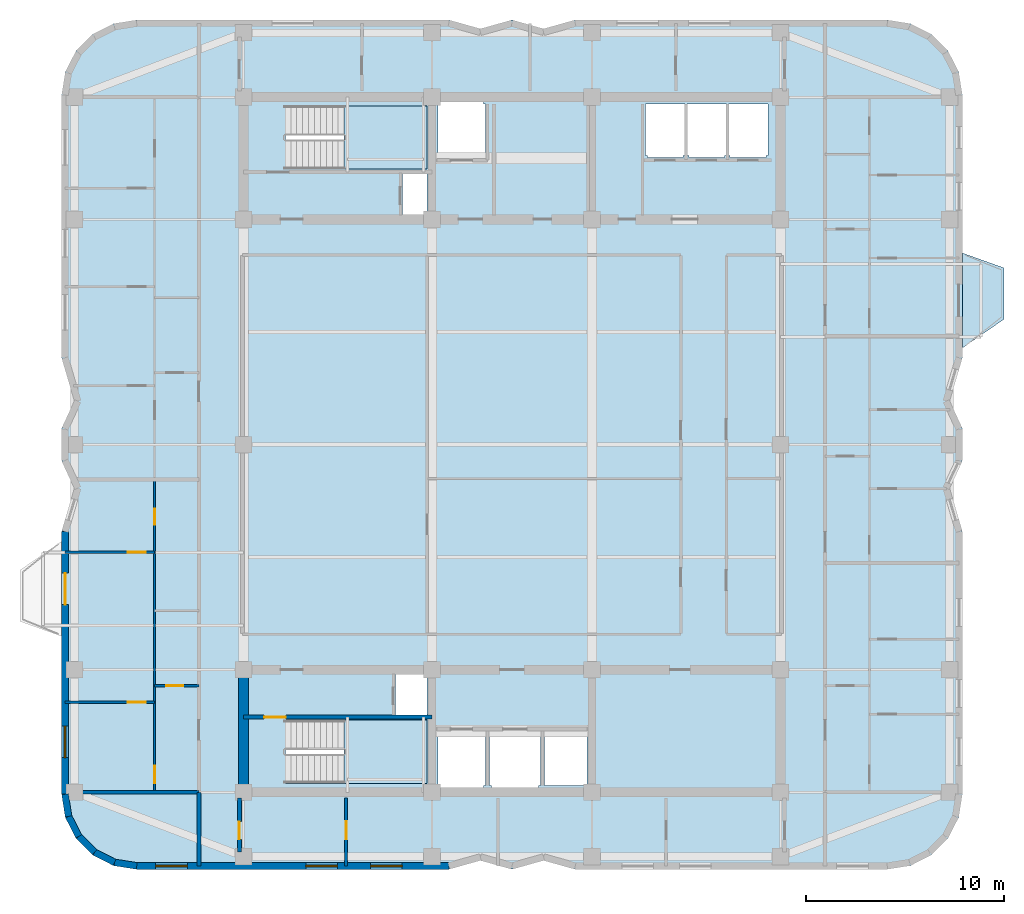
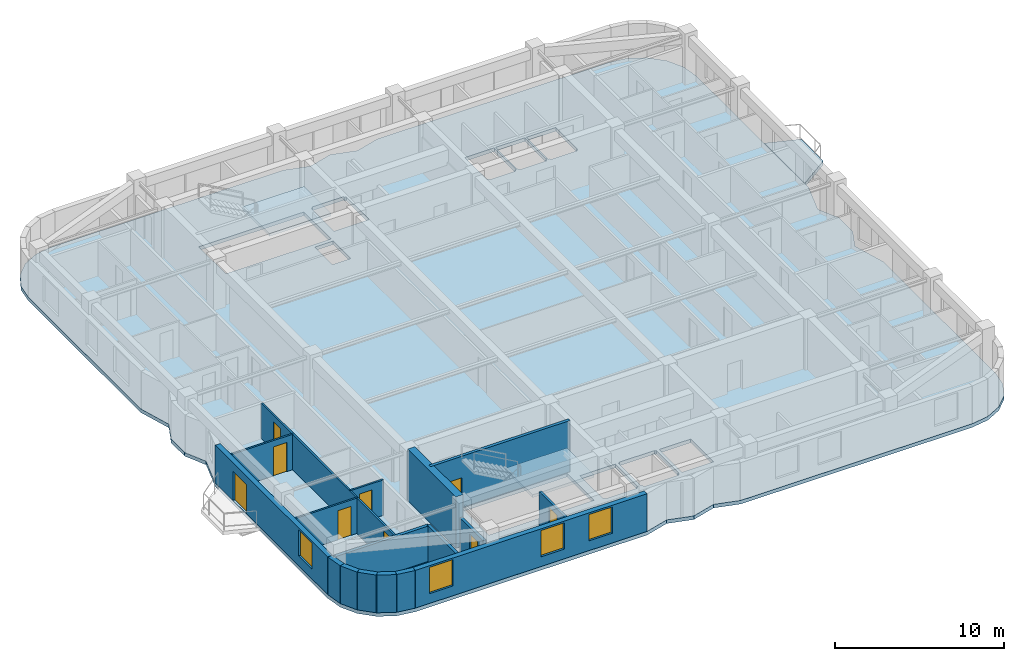
# One storey, part 2 of 9: 17 walls, 9 doors, 4 slabs, 4 windows, 13 openings, 2 elements without a shape of their own.
"""IFC4 building model written with IfcOpenShell, lengths in metres."""

from ifc_helpers import new_model, si_unit, direction, frame, frame_2d, origin, place, context, subcontext, project, spatial, polyline, rectangle, outline, extrude, material, layer, layer_set, type_object, element, fill, aggregate, save


model = new_model("IFC4")

# Units and contexts
model_context = context("Model", 3, precision=1e-05, world=origin(), true_north=direction((0.0, 1.0)))
body_context = subcontext(model_context, "Body", "Model", "MODEL_VIEW")
ifc_project = project(units=[si_unit("LENGTHUNIT", "METRE"), si_unit("AREAUNIT", "SQUARE_METRE"), si_unit("VOLUMEUNIT", "CUBIC_METRE"), si_unit("PLANEANGLEUNIT", "RADIAN"), si_unit("MASSUNIT", "GRAM", prefix="KILO")], contexts=[model_context])

# Site, building, storey
site_placement = place(None, origin())
site = spatial("IfcSite", under=ifc_project, at=site_placement, CompositionType="ELEMENT")
building_placement = place(site_placement, origin())
building = spatial("IfcBuilding", under=site, at=building_placement, Name="Svetorya Sky Lyceum", CompositionType="ELEMENT")
storey_placement = place(building_placement, frame((0.0, 0.0, 207.300048828125)))
storey = spatial("IfcBuildingStorey", under=building, at=storey_placement, Name="L51", CompositionType="ELEMENT", Elevation=207.300048828125)

# Slab
ifc_material_1 = material(Name="Concrete C40/50", Category="concrete")
ifc_layer_1 = layer(ifc_material_1, 0.260009765625)
ifc_layer_set_1 = layer_set([ifc_layer_1], Name="Concrete C40/50")
slab_type_1 = type_object("IfcSlabType", Name="SL-BAL-260", PredefinedType="FLOOR", material=ifc_layer_set_1)
slab_1_placement = place(storey_placement, frame((0.0, 0.0, -0.260009765625)))
element("IfcSlab", 1, at=slab_1_placement, inside=storey, type_object=slab_type_1, Name="L51 Chamfered Loggia Balcony BAL-E1", PredefinedType="FLOOR", context=body_context, shape_type="SweptSolid", body=[
    extrude(outline(polyline([(62.010009765625, 33.10009765625), (64.110107421875, 34.550048828125), (64.110107421875, 37.14990234375), (62.010009765625, 37.89990234375), (62.010009765625, 33.10009765625)])), origin(), (0.0, 0.0, 1.0), 0.260009765625),
])

# Stair, slab
stair_type_1 = type_object("IfcStairType", Name="STR-ST-S", PredefinedType="HALF_TURN_STAIR", material=ifc_material_1)
stair_1_placement = place(storey_placement, origin())
stair_1 = element("IfcStair", 2, at=stair_1_placement, inside=storey, type_object=stair_type_1, Name="L51 South Core Smoke-Free Exit Stair N2", PredefinedType="HALF_TURN_STAIR")
ifc_layer_2 = layer(ifc_material_1, 0.199951171875)
ifc_layer_set_2 = layer_set([ifc_layer_2], Name="Concrete C40/50")
slab_type_2 = type_object("IfcSlabType", Name="SL-STR-LAND-200", PredefinedType="LANDING", material=ifc_layer_set_2)
slab_2_placement = place(storey_placement, frame((0.0, 0.0, 1.64990234375)))
slab_2 = element("IfcSlab", 3, at=slab_2_placement, type_object=slab_type_2, Name="ST-S landing 1", PredefinedType="LANDING", context=body_context, shape_type="SweptSolid", body=[
    extrude(outline(polyline([(30.699951171875, 11.050048828125), (34.89990234375, 11.050048828125), (34.89990234375, 14.25), (30.699951171875, 14.25), (30.699951171875, 11.050048828125)])), origin(), (0.0, 0.0, 1.0), 0.199951171875),
])
aggregate(stair_1, [slab_2])

stair_type_2 = type_object("IfcStairType", Name="STR-ST-N", PredefinedType="HALF_TURN_STAIR", material=ifc_material_1)
stair_2_placement = place(storey_placement, origin())
stair_2 = element("IfcStair", 4, at=stair_2_placement, inside=storey, type_object=stair_type_2, Name="L51 North Core Smoke-Free Exit Stair N3", PredefinedType="HALF_TURN_STAIR")
slab_3_placement = place(storey_placement, frame((0.0, 0.0, 1.64990234375)))
slab_3 = element("IfcSlab", 5, at=slab_3_placement, type_object=slab_type_2, Name="ST-N landing 1", PredefinedType="LANDING", context=body_context, shape_type="SweptSolid", body=[
    extrude(outline(polyline([(30.699951171875, 42.14990234375), (34.89990234375, 42.14990234375), (34.89990234375, 45.35009765625), (30.699951171875, 45.35009765625), (30.699951171875, 42.14990234375)])), origin(), (0.0, 0.0, 1.0), 0.199951171875),
])
aggregate(stair_2, [slab_3])

# Slab
ifc_material_2 = material(Name="Concrete C50/60", Category="concrete")
ifc_layer_3 = layer(ifc_material_2, 0.260009765625)
ifc_layer_set_3 = layer_set([ifc_layer_3], Name="Concrete C50/60")
slab_type_3 = type_object("IfcSlabType", Name="SL-TWR-260", PredefinedType="FLOOR", material=ifc_layer_set_3)
slab_4_placement = place(storey_placement, frame((0.0, 0.0, -0.260009765625)))
element("IfcSlab", 6, at=slab_4_placement, inside=storey, type_object=slab_type_3, Name="L51 Structural Floor Slab", PredefinedType="FLOOR", context=body_context, shape_type="SweptSolid", body=[
    extrude(outline(polyline([(16.39990234375, 10.5), (16.5859375, 9.32568359375), (17.125732421875, 8.266357421875), (17.96630859375, 7.42578125), (19.025634765625, 6.885986328125), (20.199951171875, 6.699951171875), (36.0, 6.699951171875), (37.60009765625, 7.14990234375), (39.199951171875, 6.699951171875), (40.800048828125, 7.14990234375), (42.39990234375, 6.699951171875), (58.199951171875, 6.699951171875), (59.374267578125, 6.885986328125), (60.43359375, 7.42578125), (61.2744140625, 8.266357421875), (61.81396484375, 9.32568359375), (62.0, 10.5), (62.0, 23.800048828125), (61.35009765625, 26.0), (62.0, 27.39990234375), (62.0, 29.0), (61.35009765625, 30.39990234375), (62.0, 32.60009765625), (62.0, 45.89990234375), (61.81396484375, 47.07421875), (61.2744140625, 48.133544921875), (60.43359375, 48.974365234375), (59.374267578125, 49.513916015625), (58.199951171875, 49.699951171875), (42.39990234375, 49.699951171875), (40.800048828125, 49.25), (39.199951171875, 49.699951171875), (37.60009765625, 49.25), (36.0, 49.699951171875), (20.199951171875, 49.699951171875), (19.025634765625, 49.513916015625), (17.96630859375, 48.974365234375), (17.125732421875, 48.133544921875), (16.5859375, 47.07421875), (16.39990234375, 45.89990234375), (16.39990234375, 32.60009765625), (17.050048828125, 30.39990234375), (16.39990234375, 29.0), (16.39990234375, 27.39990234375), (17.050048828125, 26.0), (16.39990234375, 23.800048828125), (16.39990234375, 10.5)]), holes=[polyline([(37.85009765625, 10.949951171875), (37.75, 10.949951171875), (37.75, 10.85009765625), (35.550048828125, 10.85009765625), (35.550048828125, 10.949951171875), (35.449951171875, 10.949951171875), (35.449951171875, 13.64990234375), (35.550048828125, 13.64990234375), (37.75, 13.64990234375), (37.85009765625, 13.64990234375), (37.85009765625, 10.949951171875)]), polyline([(38.14990234375, 10.800048828125), (38.14990234375, 10.949951171875), (38.050048828125, 10.949951171875), (38.050048828125, 13.64990234375), (38.14990234375, 13.64990234375), (38.14990234375, 13.699951171875), (40.550048828125, 13.699951171875), (40.550048828125, 13.64990234375), (40.64990234375, 13.64990234375), (40.64990234375, 10.949951171875), (40.550048828125, 10.949951171875), (40.550048828125, 10.800048828125), (38.14990234375, 10.800048828125)]), polyline([(27.719970703125, 11.050048828125), (27.719970703125, 14.25), (34.89990234375, 14.25), (34.89990234375, 11.050048828125), (27.719970703125, 11.050048828125)]), polyline([(33.300048828125, 14.52001953125), (33.300048828125, 16.580078125), (34.89990234375, 16.580078125), (34.89990234375, 14.52001953125), (33.300048828125, 14.52001953125)]), polyline([(33.64990234375, 39.820068359375), (33.64990234375, 41.89990234375), (34.89990234375, 41.89990234375), (34.89990234375, 39.820068359375), (33.64990234375, 39.820068359375)]), polyline([(27.719970703125, 42.14990234375), (27.719970703125, 45.35009765625), (34.89990234375, 45.35009765625), (34.89990234375, 42.14990234375), (27.719970703125, 42.14990234375)]), polyline([(37.75, 42.75), (35.550048828125, 42.75), (35.449951171875, 42.75), (35.449951171875, 45.449951171875), (35.550048828125, 45.449951171875), (35.550048828125, 45.550048828125), (37.75, 45.550048828125), (37.75, 45.449951171875), (37.85009765625, 45.449951171875), (37.85009765625, 42.75), (37.75, 42.75)]), polyline([(40.85009765625, 10.949951171875), (40.85009765625, 13.64990234375), (43.0, 13.64990234375), (43.0, 10.949951171875), (40.85009765625, 10.949951171875)]), polyline([(46.050048828125, 42.75), (46.050048828125, 42.85009765625), (45.949951171875, 42.85009765625), (45.949951171875, 45.449951171875), (46.050048828125, 45.449951171875), (47.85009765625, 45.449951171875), (47.949951171875, 45.449951171875), (47.949951171875, 42.85009765625), (47.85009765625, 42.85009765625), (47.85009765625, 42.75), (46.050048828125, 42.75)]), polyline([(50.050048828125, 42.85009765625), (49.949951171875, 42.85009765625), (49.949951171875, 42.75), (48.14990234375, 42.75), (48.14990234375, 42.85009765625), (48.050048828125, 42.85009765625), (48.050048828125, 45.449951171875), (48.14990234375, 45.449951171875), (49.949951171875, 45.449951171875), (50.050048828125, 45.449951171875), (50.050048828125, 42.85009765625)]), polyline([(52.14990234375, 42.85009765625), (52.050048828125, 42.85009765625), (52.050048828125, 42.75), (50.25, 42.75), (50.25, 42.85009765625), (50.14990234375, 42.85009765625), (50.14990234375, 45.449951171875), (50.25, 45.449951171875), (52.050048828125, 45.449951171875), (52.14990234375, 45.449951171875), (52.14990234375, 42.85009765625)])]), origin(), (0.0, 0.0, 1.0), 0.260009765625),
])

# Walls
ifc_layer_4 = layer(ifc_material_2, 0.5)
ifc_layer_set_4 = layer_set([ifc_layer_4], Name="Concrete C50/60")
wall_type_1 = type_object("IfcWallType", Name="WL-CORE-500", PredefinedType="SHEAR", material=ifc_layer_set_4)
wall_1_placement = place(storey_placement, frame((25.60009765625, 10.85009765625, 0.0), z_axis=(0.0, 0.0, 1.0), x_axis=(0.0, 1.0, 0.0)))
element("IfcWall", 7, at=wall_1_placement, inside=storey, type_object=wall_type_1, Name="L51 SC West Core Shear Wall", PredefinedType="SHEAR", context=body_context, shape_type="SweptSolid", body=[
    extrude(rectangle(XDim=5.699951171875, YDim=0.5, at=frame_2d((2.85009765625, 0.0))), origin(), (0.0, 0.0, 1.0), 3.699951171875),
])
ifc_material_3 = material(Name="Putilovo limestone rainscreen on autoclaved cellular masonry", Category="masonry")
ifc_layer_5 = layer(ifc_material_3, 0.340087890625)
ifc_layer_set_5 = layer_set([ifc_layer_5], Name="Putilovo limestone rainscreen on autoclaved cellular masonry")
wall_type_2 = type_object("IfcWallType", Name="WL-EXT-340", PredefinedType="SOLIDWALL", material=ifc_layer_set_5)
wall_2_placement = place(storey_placement, frame((16.570068359375, 10.5, 0.0), z_axis=(0.0, 0.0, 1.0), x_axis=(0.156514556949, -0.987675651954, 0.0)))
element("IfcWall", 8, at=wall_2_placement, inside=storey, type_object=wall_type_2, Name="L51 Limestone Exterior Wall 1M", PredefinedType="SOLIDWALL", context=body_context, shape_type="SweptSolid", body=[
    extrude(rectangle(XDim=1.135498046875, YDim=0.340087890625, at=frame_2d((0.56787109375, 0.0))), origin(), (0.0, 0.0, 1.0), 2.719970703125),
])
for number, where, z_axis, x_axis, name in (
    (9, (16.747802734375, 9.37841796875, 0.0), (0.0, 0.0, 1.0), (0.45373580117, -0.891136253744, 0.0), "L51 Limestone Exterior Wall 2M"),
    (10, (17.26318359375, 8.3662109375, 0.0), (0.0, 0.0, 1.0), (0.707214252388, -0.706999293649, 0.0), "L51 Limestone Exterior Wall 3M"),
    (11, (18.06640625, 7.563232421875, 0.0), (0.0, 0.0, 1.0), (0.891005044957, -0.453993402883, 0.0), "L51 Limestone Exterior Wall 4M"),
):
    element("IfcWall", number, at=place(storey_placement, frame(where, z_axis=z_axis, x_axis=x_axis)), inside=storey, type_object=wall_type_2, Name=name, PredefinedType="SOLIDWALL", context=body_context, shape_type="SweptSolid", body=[
        extrude(rectangle(XDim=1.1357421875, YDim=0.340087890625, at=frame_2d((0.56787109375, 0.0))), origin(), (0.0, 0.0, 1.0), 2.719970703125),
    ])
wall_3_placement = place(storey_placement, frame((19.078369140625, 7.047607421875, 0.0), z_axis=(0.0, 0.0, 1.0), x_axis=(0.987708865555, -0.156304820474, 0.0)))
element("IfcWall", 12, at=wall_3_placement, inside=storey, type_object=wall_type_2, Name="L51 Limestone Exterior Wall 5M", PredefinedType="SOLIDWALL", context=body_context, shape_type="SweptSolid", body=[
    extrude(rectangle(XDim=1.135498046875, YDim=0.340087890625, at=frame_2d((0.56787109375, 0.0))), origin(), (0.0, 0.0, 1.0), 2.719970703125),
])

# Wall, openings, windows
wall_4_placement = place(storey_placement, frame((20.199951171875, 6.8701171875, 0.0), z_axis=(0.0, 0.0, 1.0), x_axis=(1.0, 0.0, 0.0)))
wall_4 = element("IfcWall", 13, at=wall_4_placement, inside=storey, type_object=wall_type_2, Name="L51 Limestone Exterior Wall 6M", PredefinedType="SOLIDWALL", context=body_context, shape_type="SweptSolid", body=[
    extrude(rectangle(XDim=15.800048828125, YDim=0.340087890625, at=frame_2d((7.89990234375, 0.0))), origin(), (0.0, 0.0, 1.0), 2.719970703125),
])
opening_1_placement = place(wall_4_placement, frame((0.96240234375, 0.0, 0.699951171875)))
opening_1 = element("IfcOpeningElement", 14, at=opening_1_placement, cuts=wall_4, Name="Opening W-R4", PredefinedType="OPENING", context=body_context, shape_type="SweptSolid", body=[
    extrude(rectangle(XDim=1.60009765625, YDim=1.89990234375, at=frame_2d((0.800048828125, 0.949951171875))), frame((0.0, 0.179931640625, 0.0), z_axis=(0.0, -1.0, 0.0), x_axis=(1.0, 0.0, 0.0)), (0.0, 0.0, 1.0), 0.360107421875),
])
opening_2_placement = place(wall_4_placement, frame((8.5625, 0.0, 0.699951171875)))
opening_2 = element("IfcOpeningElement", 15, at=opening_2_placement, cuts=wall_4, Name="Opening W-R4", PredefinedType="OPENING", context=body_context, shape_type="SweptSolid", body=[
    extrude(rectangle(XDim=1.60009765625, YDim=1.89990234375, at=frame_2d((0.800048828125, 0.949951171875))), frame((0.0, 0.179931640625, 0.0), z_axis=(0.0, -1.0, 0.0), x_axis=(1.0, 0.0, 0.0)), (0.0, 0.0, 1.0), 0.360107421875),
])
opening_3_placement = place(wall_4_placement, frame((11.83740234375, 0.0, 0.699951171875)))
opening_3 = element("IfcOpeningElement", 16, at=opening_3_placement, cuts=wall_4, Name="Opening W-R4", PredefinedType="OPENING", context=body_context, shape_type="SweptSolid", body=[
    extrude(rectangle(XDim=1.60009765625, YDim=1.89990234375, at=frame_2d((0.800048828125, 0.949951171875))), frame((0.0, 0.179931640625, 0.0), z_axis=(0.0, -1.0, 0.0), x_axis=(1.0, 0.0, 0.0)), (0.0, 0.0, 1.0), 0.360107421875),
])
ifc_material_4 = material(Name="Thermally broken aluminium frame with triple low-E glazing", Category="aluminium")
window_type = type_object("IfcWindowType", Name="WN-RES-160", PartitioningType="DOUBLE_PANEL_VERTICAL", PredefinedType="WINDOW", material=ifc_material_4)
window_1_placement = place(opening_1_placement, origin())
window_1 = element("IfcWindow", 17, at=window_1_placement, inside=storey, type_object=window_type, Name="L51 Facade Window W-R4.6M.1", OverallHeight=1.89990234375, OverallWidth=1.60009765625, PartitioningType="SINGLE_PANEL", PredefinedType="WINDOW", context=body_context, shape_type="SweptSolid", body=[
    extrude(rectangle(XDim=1.60009765625, YDim=1.89990234375, at=frame_2d((0.800048828125, 0.949951171875))), frame((0.0, 0.030029296875, 0.0), z_axis=(0.0, -1.0, 0.0), x_axis=(1.0, 0.0, 0.0)), (0.0, 0.0, 1.0), 0.06005859375),
])
fill(opening_1, window_1)
window_2_placement = place(opening_2_placement, origin())
window_2 = element("IfcWindow", 18, at=window_2_placement, inside=storey, type_object=window_type, Name="L51 Facade Window W-R4.6M.2", OverallHeight=1.89990234375, OverallWidth=1.60009765625, PartitioningType="SINGLE_PANEL", PredefinedType="WINDOW", context=body_context, shape_type="SweptSolid", body=[
    extrude(rectangle(XDim=1.60009765625, YDim=1.89990234375, at=frame_2d((0.800048828125, 0.949951171875))), frame((0.0, 0.030029296875, 0.0), z_axis=(0.0, -1.0, 0.0), x_axis=(1.0, 0.0, 0.0)), (0.0, 0.0, 1.0), 0.06005859375),
])
fill(opening_2, window_2)
window_3_placement = place(opening_3_placement, origin())
window_3 = element("IfcWindow", 19, at=window_3_placement, inside=storey, type_object=window_type, Name="L51 Facade Window W-R4.6M.3", OverallHeight=1.89990234375, OverallWidth=1.60009765625, PartitioningType="SINGLE_PANEL", PredefinedType="WINDOW", context=body_context, shape_type="SweptSolid", body=[
    extrude(rectangle(XDim=1.60009765625, YDim=1.89990234375, at=frame_2d((0.800048828125, 0.949951171875))), frame((0.0, 0.030029296875, 0.0), z_axis=(0.0, -1.0, 0.0), x_axis=(1.0, 0.0, 0.0)), (0.0, 0.0, 1.0), 0.06005859375),
])
fill(opening_3, window_3)

# Wall, openings, door, window
wall_5_placement = place(storey_placement, frame((16.570068359375, 23.800048828125, 0.0), z_axis=(0.0, 0.0, 1.0), x_axis=(0.0, -1.0, 0.0)))
wall_5 = element("IfcWall", 20, at=wall_5_placement, inside=storey, type_object=wall_type_2, Name="L51 Limestone Exterior Wall 46M", PredefinedType="SOLIDWALL", context=body_context, shape_type="SweptSolid", body=[
    extrude(rectangle(XDim=13.300048828125, YDim=0.340087890625, at=frame_2d((6.64990234375, 0.0))), origin(), (0.0, 0.0, 1.0), 2.719970703125),
])
opening_4_placement = place(wall_5_placement, frame((2.10009765625, 0.0, 0.0)))
opening_4 = element("IfcOpeningElement", 21, at=opening_4_placement, cuts=wall_5, Name="Opening D-BL1", PredefinedType="OPENING", context=body_context, shape_type="SweptSolid", body=[
    extrude(rectangle(XDim=1.60009765625, YDim=2.10009765625, at=frame_2d((0.800048828125, 1.050048828125))), frame((0.0, 0.179931640625, 0.0), z_axis=(0.0, -1.0, 0.0), x_axis=(1.0, 0.0, 0.0)), (0.0, 0.0, 1.0), 0.360107421875),
])
opening_5_placement = place(wall_5_placement, frame((9.85009765625, 0.0, 0.699951171875)))
opening_5 = element("IfcOpeningElement", 22, at=opening_5_placement, cuts=wall_5, Name="Opening W-R4", PredefinedType="OPENING", context=body_context, shape_type="SweptSolid", body=[
    extrude(rectangle(XDim=1.60009765625, YDim=1.89990234375, at=frame_2d((0.800048828125, 0.949951171875))), frame((0.0, 0.179931640625, 0.0), z_axis=(0.0, -1.0, 0.0), x_axis=(1.0, 0.0, 0.0)), (0.0, 0.0, 1.0), 0.360107421875),
])
ifc_material_5 = material(Name="Insulated glazed aluminium balcony door", Category="aluminium")
door_type_1 = type_object("IfcDoorType", Name="DR-BAL-1600", OperationType="DOUBLE_DOOR_SINGLE_SWING", PredefinedType="DOOR", material=ifc_material_5)
door_1_placement = place(opening_4_placement, origin())
door_1 = element("IfcDoor", 23, at=door_1_placement, inside=storey, type_object=door_type_1, Name="L51 Balcony BAL-W1 Door", OperationType="DOUBLE_DOOR_SINGLE_SWING", OverallHeight=2.10009765625, OverallWidth=1.60009765625, PredefinedType="DOOR", context=body_context, shape_type="SweptSolid", body=[
    extrude(rectangle(XDim=1.60009765625, YDim=2.10009765625, at=frame_2d((0.800048828125, 1.050048828125))), frame((0.0, 0.02490234375, 0.0), z_axis=(0.0, -1.0, 0.0), x_axis=(1.0, 0.0, 0.0)), (0.0, 0.0, 1.0), 0.050048828125),
])
fill(opening_4, door_1)
window_4_placement = place(opening_5_placement, origin())
window_4 = element("IfcWindow", 24, at=window_4_placement, inside=storey, type_object=window_type, Name="L51 Facade Window W-R4.46M.1", OverallHeight=1.89990234375, OverallWidth=1.60009765625, PartitioningType="SINGLE_PANEL", PredefinedType="WINDOW", context=body_context, shape_type="SweptSolid", body=[
    extrude(rectangle(XDim=1.60009765625, YDim=1.89990234375, at=frame_2d((0.800048828125, 0.949951171875))), frame((0.0, 0.030029296875, 0.0), z_axis=(0.0, -1.0, 0.0), x_axis=(1.0, 0.0, 0.0)), (0.0, 0.0, 1.0), 0.06005859375),
])
fill(opening_5, window_4)

# Wall, opening, door
ifc_material_6 = material(Name="Twin-stud galvanized framing with double fireboard", Category="gypsum")
ifc_layer_6 = layer(ifc_material_6, 0.1201171875)
ifc_layer_set_6 = layer_set([ifc_layer_6], Name="Twin-stud galvanized framing with double fireboard")
wall_type_3 = type_object("IfcWallType", Name="WL-PART-120", PredefinedType="PARTITIONING", material=ifc_layer_set_6)
wall_6_placement = place(storey_placement, frame((21.10009765625, 16.0, 0.0), z_axis=(0.0, 0.0, 1.0), x_axis=(1.0, 0.0, 0.0)))
wall_6 = element("IfcWall", 25, at=wall_6_placement, inside=storey, type_object=wall_type_3, Name="L51 Interior Partition W1-WH1", PredefinedType="PARTITIONING", context=body_context, shape_type="SweptSolid", body=[
    extrude(rectangle(XDim=2.25, YDim=0.1201171875, at=frame_2d((1.125, 0.0))), origin(), (0.0, 0.0, 1.0), 2.550048828125),
])
opening_6_placement = place(wall_6_placement, frame((0.60009765625, 0.0, 0.0)))
opening_6 = element("IfcOpeningElement", 26, at=opening_6_placement, cuts=wall_6, Name="Opening D-BT1", PredefinedType="OPENING", context=body_context, shape_type="SweptSolid", body=[
    extrude(rectangle(XDim=0.85009765625, YDim=2.10009765625, at=frame_2d((0.425048828125, 1.050048828125))), frame((0.0, 0.070068359375, 0.0), z_axis=(0.0, -1.0, 0.0), x_axis=(1.0, 0.0, 0.0)), (0.0, 0.0, 1.0), 0.14013671875),
])
ifc_material_7 = material(Name="Moisture-resistant laminate bathroom door")
door_type_2 = type_object("IfcDoorType", Name="DR-WET-850", OperationType="SINGLE_SWING_LEFT", PredefinedType="DOOR", material=ifc_material_7)
door_2_placement = place(opening_6_placement, origin())
door_2 = element("IfcDoor", 27, at=door_2_placement, inside=storey, type_object=door_type_2, Name="Apartment W1 Bathroom Door", OperationType="SINGLE_SWING_LEFT", OverallHeight=2.10009765625, OverallWidth=0.85009765625, PredefinedType="DOOR", context=body_context, shape_type="SweptSolid", body=[
    extrude(rectangle(XDim=0.85009765625, YDim=2.10009765625, at=frame_2d((0.425048828125, 1.050048828125))), frame((0.0, 0.02490234375, 0.0), z_axis=(0.0, -1.0, 0.0), x_axis=(1.0, 0.0, 0.0)), (0.0, 0.0, 1.0), 0.050048828125),
])
fill(opening_6, door_2)

wall_7_placement = place(storey_placement, frame((16.570068359375, 15.14990234375, 0.0), z_axis=(0.0, 0.0, 1.0), x_axis=(1.0, 0.0, 0.0)))
wall_7 = element("IfcWall", 28, at=wall_7_placement, inside=storey, type_object=wall_type_3, Name="L51 Interior Partition W1-WL1", PredefinedType="PARTITIONING", context=body_context, shape_type="SweptSolid", body=[
    extrude(rectangle(XDim=4.530029296875, YDim=0.1201171875, at=frame_2d((2.26513671875, 0.0))), origin(), (0.0, 0.0, 1.0), 2.550048828125),
])
opening_7_placement = place(wall_7_placement, frame((3.179931640625, 0.0, 0.0)))
opening_7 = element("IfcOpeningElement", 29, at=opening_7_placement, cuts=wall_7, Name="Opening D-RM1", PredefinedType="OPENING", context=body_context, shape_type="SweptSolid", body=[
    extrude(rectangle(XDim=0.89990234375, YDim=2.10009765625, at=frame_2d((0.449951171875, 1.050048828125))), frame((0.0, 0.070068359375, 0.0), z_axis=(0.0, -1.0, 0.0), x_axis=(1.0, 0.0, 0.0)), (0.0, 0.0, 1.0), 0.14013671875),
])
ifc_material_8 = material(Name="Lacquered birch veneer internal door")
door_type_3 = type_object("IfcDoorType", Name="DR-INT-900", OperationType="SINGLE_SWING_LEFT", PredefinedType="DOOR", material=ifc_material_8)
door_3_placement = place(opening_7_placement, origin())
door_3 = element("IfcDoor", 30, at=door_3_placement, inside=storey, type_object=door_type_3, Name="Apartment W1 Master Bedroom Door", OperationType="SINGLE_SWING_LEFT", OverallHeight=2.10009765625, OverallWidth=0.89990234375, PredefinedType="DOOR", context=body_context, shape_type="SweptSolid", body=[
    extrude(rectangle(XDim=0.89990234375, YDim=2.10009765625, at=frame_2d((0.449951171875, 1.050048828125))), frame((0.0, 0.02490234375, 0.0), z_axis=(0.0, -1.0, 0.0), x_axis=(1.0, 0.0, 0.0)), (0.0, 0.0, 1.0), 0.050048828125),
])
fill(opening_7, door_3)

wall_8_placement = place(storey_placement, frame((16.570068359375, 22.75, 0.0), z_axis=(0.0, 0.0, 1.0), x_axis=(1.0, 0.0, 0.0)))
wall_8 = element("IfcWall", 31, at=wall_8_placement, inside=storey, type_object=wall_type_3, Name="L51 Interior Partition W1-WL2", PredefinedType="PARTITIONING", context=body_context, shape_type="SweptSolid", body=[
    extrude(rectangle(XDim=4.530029296875, YDim=0.1201171875, at=frame_2d((2.26513671875, 0.0))), origin(), (0.0, 0.0, 1.0), 2.550048828125),
])
opening_8_placement = place(wall_8_placement, frame((3.179931640625, 0.0, 0.0)))
opening_8 = element("IfcOpeningElement", 32, at=opening_8_placement, cuts=wall_8, Name="Opening D-RM1", PredefinedType="OPENING", context=body_context, shape_type="SweptSolid", body=[
    extrude(rectangle(XDim=0.89990234375, YDim=2.10009765625, at=frame_2d((0.449951171875, 1.050048828125))), frame((0.0, 0.070068359375, 0.0), z_axis=(0.0, -1.0, 0.0), x_axis=(1.0, 0.0, 0.0)), (0.0, 0.0, 1.0), 0.14013671875),
])
door_4_placement = place(opening_8_placement, origin())
door_4 = element("IfcDoor", 33, at=door_4_placement, inside=storey, type_object=door_type_3, Name="Apartment W1 Bedroom 2 Door", OperationType="SINGLE_SWING_RIGHT", OverallHeight=2.10009765625, OverallWidth=0.89990234375, PredefinedType="DOOR", context=body_context, shape_type="SweptSolid", body=[
    extrude(rectangle(XDim=0.89990234375, YDim=2.10009765625, at=frame_2d((0.449951171875, 1.050048828125))), frame((0.0, 0.02490234375, 0.0), z_axis=(0.0, -1.0, 0.0), x_axis=(1.0, 0.0, 0.0)), (0.0, 0.0, 1.0), 0.050048828125),
])
fill(opening_8, door_4)

# Wall, openings, doors
wall_9_placement = place(storey_placement, frame((21.10009765625, 10.639892578125, 0.0), z_axis=(0.0, 0.0, 1.0), x_axis=(0.0, 1.0, 0.0)))
wall_9 = element("IfcWall", 34, at=wall_9_placement, inside=storey, type_object=wall_type_3, Name="L51 Interior Partition W1-WV", PredefinedType="PARTITIONING", context=body_context, shape_type="SweptSolid", body=[
    extrude(rectangle(XDim=15.760009765625, YDim=0.1201171875, at=frame_2d((7.8798828125, 0.0))), origin(), (0.0, 0.0, 1.0), 2.550048828125),
])
opening_9_placement = place(wall_9_placement, frame((0.409912109375, 0.0, 0.0)))
opening_9 = element("IfcOpeningElement", 35, at=opening_9_placement, cuts=wall_9, Name="Opening D-RM1", PredefinedType="OPENING", context=body_context, shape_type="SweptSolid", body=[
    extrude(rectangle(XDim=0.89990234375, YDim=2.10009765625, at=frame_2d((0.449951171875, 1.050048828125))), frame((0.0, 0.070068359375, 0.0), z_axis=(0.0, -1.0, 0.0), x_axis=(1.0, 0.0, 0.0)), (0.0, 0.0, 1.0), 0.14013671875),
])
opening_10_placement = place(wall_9_placement, frame((13.491943359375, 0.0, 0.0)))
opening_10 = element("IfcOpeningElement", 36, at=opening_10_placement, cuts=wall_9, Name="Opening D-BT2", PredefinedType="OPENING", context=body_context, shape_type="SweptSolid", body=[
    extrude(rectangle(XDim=0.820068359375, YDim=2.080078125, at=frame_2d((0.41015625, 1.0400390625))), frame((0.0, 0.070068359375, 0.0), z_axis=(0.0, -1.0, 0.0), x_axis=(1.0, 0.0, 0.0)), (0.0, 0.0, 1.0), 0.14013671875),
])
door_5_placement = place(opening_9_placement, origin())
door_5 = element("IfcDoor", 37, at=door_5_placement, inside=storey, type_object=door_type_3, Name="Apartment W1 Living Door", OperationType="SINGLE_SWING_RIGHT", OverallHeight=2.10009765625, OverallWidth=0.89990234375, PredefinedType="DOOR", context=body_context, shape_type="SweptSolid", body=[
    extrude(rectangle(XDim=0.89990234375, YDim=2.10009765625, at=frame_2d((0.449951171875, 1.050048828125))), frame((0.0, 0.02490234375, 0.0), z_axis=(0.0, -1.0, 0.0), x_axis=(1.0, 0.0, 0.0)), (0.0, 0.0, 1.0), 0.050048828125),
])
fill(opening_9, door_5)
ifc_material_9 = material(Name="Compact moisture-resistant laminate closet door")
door_type_4 = type_object("IfcDoorType", Name="DR-WET-820", OperationType="SINGLE_SWING_LEFT", PredefinedType="DOOR", material=ifc_material_9)
door_6_placement = place(opening_10_placement, origin())
door_6 = element("IfcDoor", 38, at=door_6_placement, inside=storey, type_object=door_type_4, Name="Apartment W1 Study Door", OperationType="SINGLE_SWING_LEFT", OverallHeight=2.080078125, OverallWidth=0.820068359375, PredefinedType="DOOR", context=body_context, shape_type="SweptSolid", body=[
    extrude(rectangle(XDim=0.820068359375, YDim=2.080078125, at=frame_2d((0.41015625, 1.0400390625))), frame((0.0, 0.02490234375, 0.0), z_axis=(0.0, -1.0, 0.0), x_axis=(1.0, 0.0, 0.0)), (0.0, 0.0, 1.0), 0.050048828125),
])
fill(opening_10, door_6)

# Wall, opening, door
ifc_material_10 = material(Name="Autoclaved cellular masonry blockwork with acoustic render", Category="masonry")
ifc_layer_7 = layer(ifc_material_10, 0.14990234375)
ifc_layer_set_7 = layer_set([ifc_layer_7], Name="Autoclaved cellular masonry blockwork with acoustic render")
wall_type_4 = type_object("IfcWallType", Name="WL-PART-150", PredefinedType="PARTITIONING", material=ifc_layer_set_7)
wall_10_placement = place(storey_placement, frame((30.800048828125, 6.8701171875, 0.0), z_axis=(0.0, 0.0, 1.0), x_axis=(0.0, 1.0, 0.0)))
wall_10 = element("IfcWall", 39, at=wall_10_placement, inside=storey, type_object=wall_type_4, Name="L51 Interior Partition S4-D1", PredefinedType="PARTITIONING", context=body_context, shape_type="SweptSolid", body=[
    extrude(rectangle(XDim=3.429931640625, YDim=0.14990234375, at=frame_2d((1.71484375, 0.0))), origin(), (0.0, 0.0, 1.0), 2.550048828125),
])
opening_11_placement = place(wall_10_placement, frame((1.35009765625, 0.0, 0.0)))
opening_11 = element("IfcOpeningElement", 40, at=opening_11_placement, cuts=wall_10, Name="Opening D-RM1", PredefinedType="OPENING", context=body_context, shape_type="SweptSolid", body=[
    extrude(rectangle(XDim=0.89990234375, YDim=2.10009765625, at=frame_2d((0.449951171875, 1.050048828125))), frame((0.0, 0.0849609375, 0.0), z_axis=(0.0, -1.0, 0.0), x_axis=(1.0, 0.0, 0.0)), (0.0, 0.0, 1.0), 0.169921875),
])
door_7_placement = place(opening_11_placement, origin())
door_7 = element("IfcDoor", 41, at=door_7_placement, inside=storey, type_object=door_type_3, Name="L51 South Suite Door 1", OperationType="SINGLE_SWING_LEFT", OverallHeight=2.10009765625, OverallWidth=0.89990234375, PredefinedType="DOOR", context=body_context, shape_type="SweptSolid", body=[
    extrude(rectangle(XDim=0.89990234375, YDim=2.10009765625, at=frame_2d((0.449951171875, 1.050048828125))), frame((0.0, 0.02490234375, 0.0), z_axis=(0.0, -1.0, 0.0), x_axis=(1.0, 0.0, 0.0)), (0.0, 0.0, 1.0), 0.050048828125),
])
fill(opening_11, door_7)

# Walls
ifc_material_11 = material(Name="Autoclaved cellular masonry blockwork with gypsum plaster", Category="masonry")
ifc_layer_8 = layer(ifc_material_11, 0.199951171875)
ifc_layer_set_8 = layer_set([ifc_layer_8], Name="Autoclaved cellular masonry blockwork with gypsum plaster")
wall_type_5 = type_object("IfcWallType", Name="WL-PART-200", PredefinedType="PARTITIONING", material=ifc_layer_set_8)
wall_11_placement = place(storey_placement, frame((16.989990234375, 10.60009765625, 0.0), z_axis=(0.0, 0.0, 1.0), x_axis=(1.0, 0.0, 0.0)))
element("IfcWall", 42, at=wall_11_placement, inside=storey, type_object=wall_type_5, Name="L51 Interior Partition W-CAP-S", PredefinedType="PARTITIONING", context=body_context, shape_type="SweptSolid", body=[
    extrude(rectangle(XDim=6.360107421875, YDim=0.199951171875, at=frame_2d((3.18017578125, 0.0))), origin(), (0.0, 0.0, 1.0), 2.550048828125),
])
wall_12_placement = place(storey_placement, frame((23.35009765625, 6.8701171875, 0.0), z_axis=(0.0, 0.0, 1.0), x_axis=(0.0, 1.0, 0.0)))
element("IfcWall", 43, at=wall_12_placement, inside=storey, type_object=wall_type_5, Name="L51 Interior Partition WC-SW-END", PredefinedType="PARTITIONING", context=body_context, shape_type="SweptSolid", body=[
    extrude(rectangle(XDim=3.72998046875, YDim=0.199951171875, at=frame_2d((1.864990234375, 0.0))), origin(), (0.0, 0.0, 1.0), 2.550048828125),
])

# Wall, opening, door
wall_13_placement = place(storey_placement, frame((25.39990234375, 7.570068359375, 0.0), z_axis=(0.0, 0.0, 1.0), x_axis=(0.0, 1.0, 0.0)))
wall_13 = element("IfcWall", 44, at=wall_13_placement, inside=storey, type_object=wall_type_5, Name="L51 Interior Partition S4-EW", PredefinedType="PARTITIONING", context=body_context, shape_type="SweptSolid", body=[
    extrude(rectangle(XDim=2.72998046875, YDim=0.199951171875, at=frame_2d((1.364990234375, 0.0))), origin(), (0.0, 0.0, 1.0), 2.550048828125),
])
opening_12_placement = place(wall_13_placement, frame((0.64990234375, 0.0, 0.0)))
opening_12 = element("IfcOpeningElement", 45, at=opening_12_placement, cuts=wall_13, Name="Opening D-RM1", PredefinedType="OPENING", context=body_context, shape_type="SweptSolid", body=[
    extrude(rectangle(XDim=0.89990234375, YDim=2.10009765625, at=frame_2d((0.449951171875, 1.050048828125))), frame((0.0, 0.10986328125, 0.0), z_axis=(0.0, -1.0, 0.0), x_axis=(1.0, 0.0, 0.0)), (0.0, 0.0, 1.0), 0.219970703125),
])
door_8_placement = place(opening_12_placement, origin())
door_8 = element("IfcDoor", 46, at=door_8_placement, inside=storey, type_object=door_type_3, Name="L51 SW Office Door", OperationType="SINGLE_SWING_LEFT", OverallHeight=2.10009765625, OverallWidth=0.89990234375, PredefinedType="DOOR", context=body_context, shape_type="SweptSolid", body=[
    extrude(rectangle(XDim=0.89990234375, YDim=2.10009765625, at=frame_2d((0.449951171875, 1.050048828125))), frame((0.0, 0.02490234375, 0.0), z_axis=(0.0, -1.0, 0.0), x_axis=(1.0, 0.0, 0.0)), (0.0, 0.0, 1.0), 0.050048828125),
])
fill(opening_12, door_8)

ifc_layer_9 = layer(ifc_material_2, 0.199951171875)
ifc_layer_set_9 = layer_set([ifc_layer_9], Name="Concrete C50/60")
wall_type_6 = type_object("IfcWallType", Name="WL-SHW-200", PredefinedType="SHEAR", material=ifc_layer_set_9)
wall_14_placement = place(storey_placement, frame((25.60009765625, 14.39990234375, 0.0), z_axis=(0.0, 0.0, 1.0), x_axis=(1.0, 0.0, 0.0)))
wall_14 = element("IfcWall", 47, at=wall_14_placement, inside=storey, type_object=wall_type_6, Name="L51 Structural Stair Shaft Wall SC-STW", PredefinedType="SHEAR", context=body_context, shape_type="SweptSolid", body=[
    extrude(rectangle(XDim=9.5498046875, YDim=0.199951171875, at=frame_2d((4.77490234375, 0.0))), origin(), (0.0, 0.0, 1.0), 3.699951171875),
])
opening_13_placement = place(wall_14_placement, frame((1.050048828125, 0.0, 0.0)))
opening_13 = element("IfcOpeningElement", 48, at=opening_13_placement, cuts=wall_14, Name="Opening D-ST1", PredefinedType="OPENING", context=body_context, shape_type="SweptSolid", body=[
    extrude(rectangle(XDim=1.10009765625, YDim=2.14990234375, at=frame_2d((0.550048828125, 1.074951171875))), frame((0.0, 0.10986328125, 0.0), z_axis=(0.0, -1.0, 0.0), x_axis=(1.0, 0.0, 0.0)), (0.0, 0.0, 1.0), 0.219970703125),
])
ifc_material_12 = material(Name="Powder-coated insulated galvanized stair fire door")
door_type_5 = type_object("IfcDoorType", Name="DR-FIRE-1100", OperationType="SINGLE_SWING_LEFT", PredefinedType="DOOR", material=ifc_material_12)
door_9_placement = place(opening_13_placement, origin())
door_9 = element("IfcDoor", 49, at=door_9_placement, inside=storey, type_object=door_type_5, Name="L51 Stair ST-S Vestibule Fire Door", OperationType="SINGLE_SWING_LEFT", OverallHeight=2.14990234375, OverallWidth=1.10009765625, PredefinedType="DOOR", context=body_context, shape_type="SweptSolid", body=[
    extrude(rectangle(XDim=1.10009765625, YDim=2.14990234375, at=frame_2d((0.550048828125, 1.074951171875))), frame((0.0, 0.02490234375, 0.0), z_axis=(0.0, -1.0, 0.0), x_axis=(1.0, 0.0, 0.0)), (0.0, 0.0, 1.0), 0.050048828125),
])
fill(opening_13, door_9)

save(model, "model.ifc")
